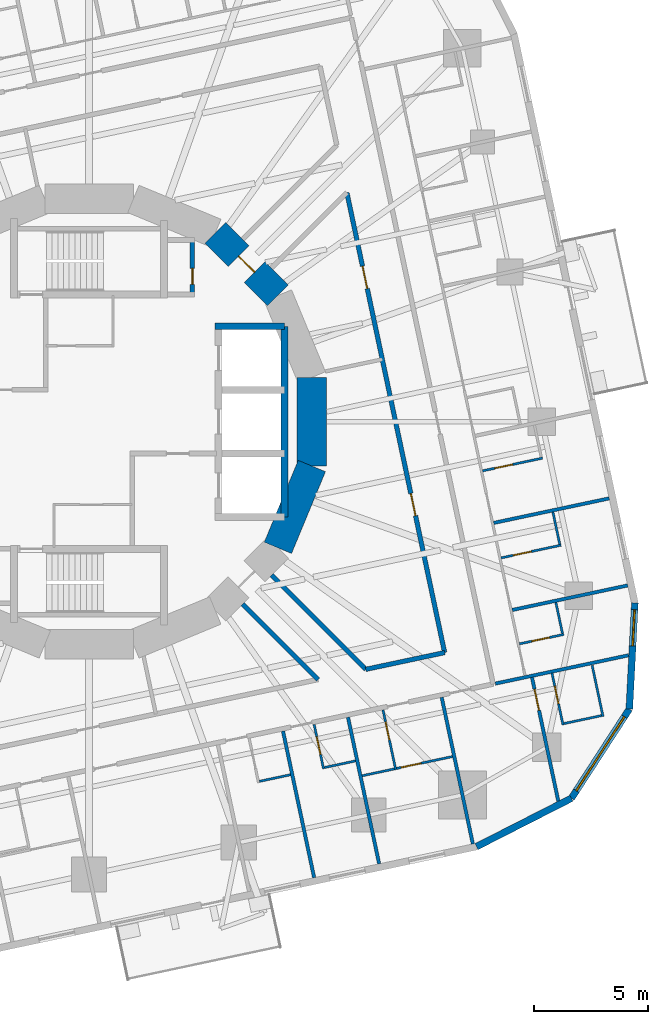
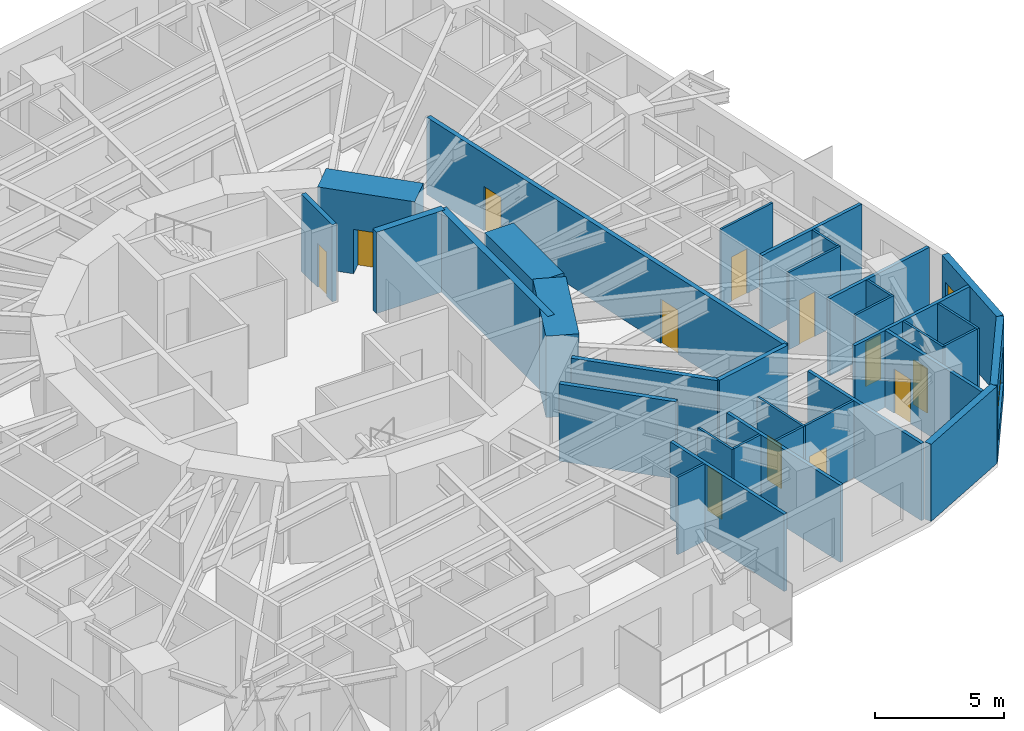
# One storey, part 8 of 14: 34 walls, 12 doors, 2 windows, 14 openings.
"""IFC4 building model written with IfcOpenShell, lengths in metres."""

from ifc_helpers import new_model, si_unit, direction, frame, frame_2d, origin, place, context, subcontext, project, spatial, rectangle, extrude, material, layer, layer_set, type_object, element, fill, save


model = new_model("IFC4")

# Units and contexts
model_context = context("Model", 3, precision=1e-05, world=origin(), true_north=direction((0.0, 1.0)))
body_context = subcontext(model_context, "Body", "Model", "MODEL_VIEW")
ifc_project = project(units=[si_unit("LENGTHUNIT", "METRE"), si_unit("AREAUNIT", "SQUARE_METRE"), si_unit("VOLUMEUNIT", "CUBIC_METRE"), si_unit("PLANEANGLEUNIT", "RADIAN"), si_unit("MASSUNIT", "GRAM", prefix="KILO")], contexts=[model_context])

# Site, building, storey
site_placement = place(None, origin())
site = spatial("IfcSite", under=ifc_project, at=site_placement, CompositionType="ELEMENT")
building_placement = place(site_placement, origin())
building = spatial("IfcBuilding", under=site, at=building_placement, Name="Nakasero Lantern House", CompositionType="ELEMENT")
storey_placement = place(building_placement, frame((0.0, 0.0, 105.0)))
storey = spatial("IfcBuildingStorey", under=building, at=storey_placement, Name="L25", CompositionType="ELEMENT", Elevation=105.0)

# Walls
ifc_material_1 = material(Name="Concrete C50/60", Category="concrete")
ifc_layer_1 = layer(ifc_material_1, 0.300048828125)
ifc_layer_set_1 = layer_set([ifc_layer_1], Name="Core inner wall 300")
wall_type_1 = type_object("IfcWallType", Name="Core inner wall 300", PredefinedType="SHEAR", material=ifc_layer_set_1)
wall_1_placement = place(storey_placement, frame((5.550048828125, 4.199951171875, 0.0), z_axis=(0.0, 0.0, 1.0), x_axis=(1.0, 0.0, 0.0)))
element("IfcWall", 1, at=wall_1_placement, inside=storey, type_object=wall_type_1, Name="Core inner wall L25 LEN", PredefinedType="SHEAR", context=body_context, shape_type="SweptSolid", body=[
    extrude(rectangle(XDim=3.050048828125, YDim=0.300048828125, at=frame_2d((1.52490234375, 0.0))), origin(), (0.0, 0.0, 1.0), 3.85009765625),
])
wall_2_placement = place(storey_placement, frame((8.60009765625, -4.199951171875, 0.0), z_axis=(0.0, 0.0, 1.0), x_axis=(0.0, 1.0, 0.0)))
element("IfcWall", 2, at=wall_2_placement, inside=storey, type_object=wall_type_1, Name="Core inner wall L25 LEB", PredefinedType="SHEAR", context=body_context, shape_type="SweptSolid", body=[
    extrude(rectangle(XDim=8.39990234375, YDim=0.300048828125, at=frame_2d((4.199951171875, 0.0))), origin(), (0.0, 0.0, 1.0), 3.85009765625),
])

# Wall, opening, door
ifc_material_2 = material(Name="Concrete C50/60", Category="concrete")
ifc_layer_2 = layer(ifc_material_2, 1.300048828125)
ifc_layer_set_2 = layer_set([ifc_layer_2], Name="Core wall 1300")
wall_type_2 = type_object("IfcWallType", Name="Core wall 1300", PredefinedType="SHEAR", material=ifc_layer_set_2)
wall_3_placement = place(storey_placement, frame((8.314697265625, 5.5556640625, 0.0), z_axis=(0.0, 0.0, 1.0), x_axis=(-0.707106781187, 0.707106781187, 0.0)))
wall_3 = element("IfcWall", 3, at=wall_3_placement, inside=storey, type_object=wall_type_2, Name="Core wall L25 facet 2", PredefinedType="SHEAR", context=body_context, shape_type="SweptSolid", body=[
    extrude(rectangle(XDim=3.90185546875, YDim=1.300048828125, at=frame_2d((1.950927734375, 0.0))), origin(), (0.0, 0.0, 1.0), 3.85009765625),
])
opening_1_placement = place(wall_3_placement, frame((1.450927734375, 0.0, 0.0)))
opening_1 = element("IfcOpeningElement", 4, at=opening_1_placement, cuts=wall_3, Name="Opening D05", PredefinedType="OPENING", context=body_context, shape_type="SweptSolid", body=[
    extrude(rectangle(XDim=1.0, YDim=2.10009765625, at=frame_2d((0.5, 1.050048828125))), frame((0.0, 0.669921875, 0.0), z_axis=(0.0, -1.0, 0.0), x_axis=(1.0, 0.0, 0.0)), (0.0, 0.0, 1.0), 1.340087890625),
])
ifc_material_3 = material(Name="Timber C24", Category="wood")
door_type_1 = type_object("IfcDoorType", Name="Core door FD60S 1000", OperationType="SINGLE_SWING_LEFT", PredefinedType="DOOR", material=ifc_material_3)
door_1_placement = place(opening_1_placement, origin())
door_1 = element("IfcDoor", 5, at=door_1_placement, inside=storey, type_object=door_type_1, Name="Door L25 D-CORE02", OperationType="SINGLE_SWING_LEFT", OverallHeight=2.10009765625, OverallWidth=1.0, PredefinedType="DOOR", context=body_context, shape_type="SweptSolid", body=[
    extrude(rectangle(XDim=1.0, YDim=2.10009765625, at=frame_2d((0.5, 1.050048828125))), frame((0.0, 0.02490234375, 0.0), z_axis=(0.0, -1.0, 0.0), x_axis=(1.0, 0.0, 0.0)), (0.0, 0.0, 1.0), 0.050048828125),
])
fill(opening_1, door_1)

# Walls
for number, where, z_axis, x_axis, name in (
    (6, (8.314697265625, -5.5556640625, 0.0), (0.0, 0.0, 1.0), (0.382690736062, 0.923876507187, 0.0), "Core wall L25 facet 15"),
    (7, (9.807861328125, -1.950927734375, 0.0), (0.0, 0.0, 1.0), (0.0, 1.0, 0.0), "Core wall L25 facet 16"),
):
    element("IfcWall", number, at=place(storey_placement, frame(where, z_axis=z_axis, x_axis=x_axis)), inside=storey, type_object=wall_type_2, Name=name, PredefinedType="SHEAR", context=body_context, shape_type="SweptSolid", body=[
        extrude(rectangle(XDim=3.90185546875, YDim=1.300048828125, at=frame_2d((1.950927734375, 0.0))), origin(), (0.0, 0.0, 1.0), 3.85009765625),
    ])

# Wall, openings, doors
ifc_material_4 = material(Name="Blockwork", Category="masonry")
ifc_layer_3 = layer(ifc_material_4, 0.199951171875)
ifc_layer_set_3 = layer_set([ifc_layer_3], Name="Corridor wall 200")
wall_type_3 = type_object("IfcWallType", Name="Corridor wall 200", PredefinedType="PARTITIONING", material=ifc_layer_set_3)
wall_4_placement = place(storey_placement, frame((15.656005859375, -10.1669921875, 0.0), z_axis=(0.0, 0.0, 1.0), x_axis=(-0.207919413582, 0.978145959178, 0.0)))
wall_4 = element("IfcWall", 8, at=wall_4_placement, inside=storey, type_object=wall_type_3, Name="Corridor wall L25 IW0-0", PredefinedType="PARTITIONING", context=body_context, shape_type="SweptSolid", body=[
    extrude(rectangle(XDim=20.698974609375, YDim=0.199951171875, at=frame_2d((10.349609375, 0.0))), origin(), (0.0, 0.0, 1.0), 3.64990234375),
])
opening_2_placement = place(wall_4_placement, frame((6.16259765625, 0.0, 0.0)))
opening_2 = element("IfcOpeningElement", 9, at=opening_2_placement, cuts=wall_4, Name="Opening D07", PredefinedType="OPENING", context=body_context, shape_type="SweptSolid", body=[
    extrude(rectangle(XDim=1.0, YDim=2.10009765625, at=frame_2d((0.5, 1.050048828125))), frame((0.0, 0.119873046875, 0.0), z_axis=(0.0, -1.0, 0.0), x_axis=(1.0, 0.0, 0.0)), (0.0, 0.0, 1.0), 0.239990234375),
])
opening_3_placement = place(wall_4_placement, frame((16.386962890625, 0.0, 0.0)))
opening_3 = element("IfcOpeningElement", 10, at=opening_3_placement, cuts=wall_4, Name="Opening D07", PredefinedType="OPENING", context=body_context, shape_type="SweptSolid", body=[
    extrude(rectangle(XDim=1.0, YDim=2.10009765625, at=frame_2d((0.5, 1.050048828125))), frame((0.0, 0.119873046875, 0.0), z_axis=(0.0, -1.0, 0.0), x_axis=(1.0, 0.0, 0.0)), (0.0, 0.0, 1.0), 0.239990234375),
])
ifc_material_5 = material(Name="Timber C24", Category="wood")
door_type_2 = type_object("IfcDoorType", Name="Room door FD30S 1000", OperationType="SINGLE_SWING_LEFT", PredefinedType="DOOR", material=ifc_material_5)
door_2_placement = place(opening_2_placement, origin())
door_2 = element("IfcDoor", 11, at=door_2_placement, inside=storey, type_object=door_type_2, Name="Door L25 DI3", OperationType="SINGLE_SWING_LEFT", OverallHeight=2.10009765625, OverallWidth=1.0, PredefinedType="DOOR", context=body_context, shape_type="SweptSolid", body=[
    extrude(rectangle(XDim=1.0, YDim=2.10009765625, at=frame_2d((0.5, 1.050048828125))), frame((0.0, 0.02490234375, 0.0), z_axis=(0.0, -1.0, 0.0), x_axis=(1.0, 0.0, 0.0)), (0.0, 0.0, 1.0), 0.050048828125),
])
fill(opening_2, door_2)
door_3_placement = place(opening_3_placement, origin())
door_3 = element("IfcDoor", 12, at=door_3_placement, inside=storey, type_object=door_type_2, Name="Door L25 DI4", OperationType="SINGLE_SWING_RIGHT", OverallHeight=2.10009765625, OverallWidth=1.0, PredefinedType="DOOR", context=body_context, shape_type="SweptSolid", body=[
    extrude(rectangle(XDim=1.0, YDim=2.10009765625, at=frame_2d((0.5, 1.050048828125))), frame((0.0, 0.02490234375, 0.0), z_axis=(0.0, -1.0, 0.0), x_axis=(1.0, 0.0, 0.0)), (0.0, 0.0, 1.0), 0.050048828125),
])
fill(opening_3, door_3)

# Walls
wall_5_placement = place(storey_placement, frame((12.178955078125, -10.90625, 0.0), z_axis=(0.0, 0.0, 1.0), x_axis=(0.978136852319, 0.207962251708, 0.0)))
element("IfcWall", 13, at=wall_5_placement, inside=storey, type_object=wall_type_3, Name="Corridor wall L25 IW3-1", PredefinedType="PARTITIONING", context=body_context, shape_type="SweptSolid", body=[
    extrude(rectangle(XDim=3.5546875, YDim=0.199951171875, at=frame_2d((1.77734375, 0.0))), origin(), (0.0, 0.0, 1.0), 3.64990234375),
])
wall_6_placement = place(storey_placement, frame((8.03125, -6.758544921875, 0.0), z_axis=(0.0, 0.0, 1.0), x_axis=(0.707106781187, -0.707106781187, 0.0)))
element("IfcWall", 14, at=wall_6_placement, inside=storey, type_object=wall_type_3, Name="Corridor wall L25 PS14a", PredefinedType="PARTITIONING", context=body_context, shape_type="SweptSolid", body=[
    extrude(rectangle(XDim=5.86572265625, YDim=0.199951171875, at=frame_2d((2.932861328125, 0.0))), origin(), (0.0, 0.0, 1.0), 3.64990234375),
])
wall_7_placement = place(storey_placement, frame((6.758544921875, -8.03125, 0.0), z_axis=(0.0, 0.0, 1.0), x_axis=(0.707106781187, -0.707106781187, 0.0)))
element("IfcWall", 15, at=wall_7_placement, inside=storey, type_object=wall_type_3, Name="Corridor wall L25 PS14b", PredefinedType="PARTITIONING", context=body_context, shape_type="SweptSolid", body=[
    extrude(rectangle(XDim=4.69677734375, YDim=0.199951171875, at=frame_2d((2.348388671875, 0.0))), origin(), (0.0, 0.0, 1.0), 3.64990234375),
])

# Wall, opening, door
ifc_material_6 = material(Name="Blockwork", Category="masonry")
ifc_layer_4 = layer(ifc_material_6, 0.10009765625)
ifc_layer_set_4 = layer_set([ifc_layer_4], Name="En-suite wall 100")
wall_type_4 = type_object("IfcWallType", Name="En-suite wall 100", PredefinedType="PARTITIONING", material=ifc_layer_set_4)
wall_8_placement = place(storey_placement, frame((18.947998046875, -9.783203125, 0.0), z_axis=(0.0, 0.0, 1.0), x_axis=(0.978128127149, 0.208003285743, 0.0)))
wall_8 = element("IfcWall", 16, at=wall_8_placement, inside=storey, type_object=wall_type_4, Name="En-suite wall L25 ES0-00", PredefinedType="PARTITIONING", context=body_context, shape_type="SweptSolid", body=[
    extrude(rectangle(XDim=2.0, YDim=0.10009765625, at=frame_2d((1.0, 0.0))), origin(), (0.0, 0.0, 1.0), 3.64990234375),
])
opening_4_placement = place(wall_8_placement, frame((0.550048828125, 0.0, 0.0)))
opening_4 = element("IfcOpeningElement", 17, at=opening_4_placement, cuts=wall_8, Name="Opening D02", PredefinedType="OPENING", context=body_context, shape_type="SweptSolid", body=[
    extrude(rectangle(XDim=0.800048828125, YDim=2.10009765625, at=frame_2d((0.39990234375, 1.050048828125))), frame((0.0, 0.070068359375, 0.0), z_axis=(0.0, -1.0, 0.0), x_axis=(1.0, 0.0, 0.0)), (0.0, 0.0, 1.0), 0.14013671875),
])
ifc_material_7 = material(Name="Timber C24", Category="wood")
door_type_3 = type_object("IfcDoorType", Name="En-suite door 800", OperationType="SINGLE_SWING_RIGHT", PredefinedType="DOOR", material=ifc_material_7)
door_4_placement = place(opening_4_placement, origin())
door_4 = element("IfcDoor", 18, at=door_4_placement, inside=storey, type_object=door_type_3, Name="Door L25 DE0-00", OperationType="SINGLE_SWING_LEFT", OverallHeight=2.10009765625, OverallWidth=0.800048828125, PredefinedType="DOOR", context=body_context, shape_type="SweptSolid", body=[
    extrude(rectangle(XDim=0.800048828125, YDim=2.10009765625, at=frame_2d((0.39990234375, 1.050048828125))), frame((0.0, 0.02490234375, 0.0), z_axis=(0.0, -1.0, 0.0), x_axis=(1.0, 0.0, 0.0)), (0.0, 0.0, 1.0), 0.050048828125),
])
fill(opening_4, door_4)

# Wall
wall_9_placement = place(storey_placement, frame((20.844970703125, -9.328857421875, 0.0), z_axis=(0.0, 0.0, 1.0), x_axis=(-0.207873355681, 0.978155748334, 0.0)))
element("IfcWall", 19, at=wall_9_placement, inside=storey, type_object=wall_type_4, Name="En-suite wall L25 EE0-00", PredefinedType="PARTITIONING", context=body_context, shape_type="SweptSolid", body=[
    extrude(rectangle(XDim=1.39990234375, YDim=0.10009765625, at=frame_2d((0.699951171875, 0.0))), origin(), (0.0, 0.0, 1.0), 3.64990234375),
])

# Wall, opening, door
wall_10_placement = place(storey_placement, frame((18.1435546875, -5.998291015625, 0.0), z_axis=(0.0, 0.0, 1.0), x_axis=(0.978137244908, 0.207960405185, 0.0)))
wall_10 = element("IfcWall", 20, at=wall_10_placement, inside=storey, type_object=wall_type_4, Name="En-suite wall L25 ES0-01", PredefinedType="PARTITIONING", context=body_context, shape_type="SweptSolid", body=[
    extrude(rectangle(XDim=2.7001953125, YDim=0.10009765625, at=frame_2d((1.35009765625, 0.0))), origin(), (0.0, 0.0, 1.0), 3.64990234375),
])
opening_5_placement = place(wall_10_placement, frame((0.550048828125, 0.0, 0.0)))
opening_5 = element("IfcOpeningElement", 21, at=opening_5_placement, cuts=wall_10, Name="Opening D02", PredefinedType="OPENING", context=body_context, shape_type="SweptSolid", body=[
    extrude(rectangle(XDim=0.800048828125, YDim=2.10009765625, at=frame_2d((0.39990234375, 1.050048828125))), frame((0.0, 0.070068359375, 0.0), z_axis=(0.0, -1.0, 0.0), x_axis=(1.0, 0.0, 0.0)), (0.0, 0.0, 1.0), 0.14013671875),
])
door_5_placement = place(opening_5_placement, origin())
door_5 = element("IfcDoor", 22, at=door_5_placement, inside=storey, type_object=door_type_3, Name="Door L25 DE0-01", OperationType="SINGLE_SWING_LEFT", OverallHeight=2.10009765625, OverallWidth=0.800048828125, PredefinedType="DOOR", context=body_context, shape_type="SweptSolid", body=[
    extrude(rectangle(XDim=0.800048828125, YDim=2.10009765625, at=frame_2d((0.39990234375, 1.050048828125))), frame((0.0, 0.02490234375, 0.0), z_axis=(0.0, -1.0, 0.0), x_axis=(1.0, 0.0, 0.0)), (0.0, 0.0, 1.0), 0.050048828125),
])
fill(opening_5, door_5)

# Wall
wall_11_placement = place(storey_placement, frame((20.725341796875, -5.398193359375, 0.0), z_axis=(0.0, 0.0, 1.0), x_axis=(-0.207953405961, 0.978138732977, 0.0)))
element("IfcWall", 23, at=wall_11_placement, inside=storey, type_object=wall_type_4, Name="En-suite wall L25 EE0-01", PredefinedType="PARTITIONING", context=body_context, shape_type="SweptSolid", body=[
    extrude(rectangle(XDim=1.449951171875, YDim=0.10009765625, at=frame_2d((0.72509765625, 0.0))), origin(), (0.0, 0.0, 1.0), 3.64990234375),
])

# Wall, opening, door
wall_12_placement = place(storey_placement, frame((17.32861328125, -2.164306640625, 0.0), z_axis=(0.0, 0.0, 1.0), x_axis=(0.97815563361, 0.207873895514, 0.0)))
wall_12 = element("IfcWall", 24, at=wall_12_placement, inside=storey, type_object=wall_type_4, Name="En-suite wall L25 ES0-02", PredefinedType="PARTITIONING", context=body_context, shape_type="SweptSolid", body=[
    extrude(rectangle(XDim=2.7001953125, YDim=0.10009765625, at=frame_2d((1.35009765625, 0.0))), origin(), (0.0, 0.0, 1.0), 3.64990234375),
])
opening_6_placement = place(wall_12_placement, frame((0.550048828125, 0.0, 0.0)))
opening_6 = element("IfcOpeningElement", 25, at=opening_6_placement, cuts=wall_12, Name="Opening D02", PredefinedType="OPENING", context=body_context, shape_type="SweptSolid", body=[
    extrude(rectangle(XDim=0.800048828125, YDim=2.10009765625, at=frame_2d((0.39990234375, 1.050048828125))), frame((0.0, 0.070068359375, 0.0), z_axis=(0.0, -1.0, 0.0), x_axis=(1.0, 0.0, 0.0)), (0.0, 0.0, 1.0), 0.14013671875),
])
door_6_placement = place(opening_6_placement, origin())
door_6 = element("IfcDoor", 26, at=door_6_placement, inside=storey, type_object=door_type_3, Name="Door L25 DE0-02", OperationType="SINGLE_SWING_LEFT", OverallHeight=2.10009765625, OverallWidth=0.800048828125, PredefinedType="DOOR", context=body_context, shape_type="SweptSolid", body=[
    extrude(rectangle(XDim=0.800048828125, YDim=2.10009765625, at=frame_2d((0.39990234375, 1.050048828125))), frame((0.0, 0.02490234375, 0.0), z_axis=(0.0, -1.0, 0.0), x_axis=(1.0, 0.0, 0.0)), (0.0, 0.0, 1.0), 0.050048828125),
])
fill(opening_6, door_6)

# Wall
wall_13_placement = place(storey_placement, frame((7.50048828125, -15.836669921875, 0.0), z_axis=(0.0, 0.0, 1.0), x_axis=(0.978155748334, 0.207873355681, 0.0)))
element("IfcWall", 27, at=wall_13_placement, inside=storey, type_object=wall_type_4, Name="En-suite wall L25 EE3-05", PredefinedType="PARTITIONING", context=body_context, shape_type="SweptSolid", body=[
    extrude(rectangle(XDim=1.39990234375, YDim=0.10009765625, at=frame_2d((0.699951171875, 0.0))), origin(), (0.0, 0.0, 1.0), 3.64990234375),
])

# Wall, opening, door
wall_14_placement = place(storey_placement, frame((9.908447265625, -13.331298828125, 0.0), z_axis=(0.0, 0.0, 1.0), x_axis=(0.208003285743, -0.978128127149, 0.0)))
wall_14 = element("IfcWall", 28, at=wall_14_placement, inside=storey, type_object=wall_type_4, Name="En-suite wall L25 ES3-06", PredefinedType="PARTITIONING", context=body_context, shape_type="SweptSolid", body=[
    extrude(rectangle(XDim=2.0, YDim=0.10009765625, at=frame_2d((1.0, 0.0))), origin(), (0.0, 0.0, 1.0), 3.64990234375),
])
opening_7_placement = place(wall_14_placement, frame((0.550048828125, 0.0, 0.0)))
opening_7 = element("IfcOpeningElement", 29, at=opening_7_placement, cuts=wall_14, Name="Opening D02", PredefinedType="OPENING", context=body_context, shape_type="SweptSolid", body=[
    extrude(rectangle(XDim=0.800048828125, YDim=2.10009765625, at=frame_2d((0.39990234375, 1.050048828125))), frame((0.0, 0.070068359375, 0.0), z_axis=(0.0, -1.0, 0.0), x_axis=(1.0, 0.0, 0.0)), (0.0, 0.0, 1.0), 0.14013671875),
])
door_7_placement = place(opening_7_placement, origin())
door_7 = element("IfcDoor", 30, at=door_7_placement, inside=storey, type_object=door_type_3, Name="Door L25 DE3-06", OperationType="SINGLE_SWING_LEFT", OverallHeight=2.10009765625, OverallWidth=0.800048828125, PredefinedType="DOOR", context=body_context, shape_type="SweptSolid", body=[
    extrude(rectangle(XDim=0.800048828125, YDim=2.10009765625, at=frame_2d((0.39990234375, 1.050048828125))), frame((0.0, 0.02490234375, 0.0), z_axis=(0.0, -1.0, 0.0), x_axis=(1.0, 0.0, 0.0)), (0.0, 0.0, 1.0), 0.050048828125),
])
fill(opening_7, door_7)

# Wall
wall_15_placement = place(storey_placement, frame((10.36279296875, -15.228271484375, 0.0), z_axis=(0.0, 0.0, 1.0), x_axis=(0.978155748334, 0.207873355681, 0.0)))
element("IfcWall", 31, at=wall_15_placement, inside=storey, type_object=wall_type_4, Name="En-suite wall L25 EE3-06", PredefinedType="PARTITIONING", context=body_context, shape_type="SweptSolid", body=[
    extrude(rectangle(XDim=1.39990234375, YDim=0.10009765625, at=frame_2d((0.699951171875, 0.0))), origin(), (0.0, 0.0, 1.0), 3.64990234375),
])

# Wall, opening, door
wall_16_placement = place(storey_placement, frame((12.940673828125, -12.686767578125, 0.0), z_axis=(0.0, 0.0, 1.0), x_axis=(0.207978798957, -0.978133334052, 0.0)))
wall_16 = element("IfcWall", 32, at=wall_16_placement, inside=storey, type_object=wall_type_4, Name="En-suite wall L25 ES3-07", PredefinedType="PARTITIONING", context=body_context, shape_type="SweptSolid", body=[
    extrude(rectangle(XDim=2.699951171875, YDim=0.10009765625, at=frame_2d((1.35009765625, 0.0))), origin(), (0.0, 0.0, 1.0), 3.64990234375),
])
opening_8_placement = place(wall_16_placement, frame((0.550048828125, 0.0, 0.0)))
opening_8 = element("IfcOpeningElement", 33, at=opening_8_placement, cuts=wall_16, Name="Opening D02", PredefinedType="OPENING", context=body_context, shape_type="SweptSolid", body=[
    extrude(rectangle(XDim=0.800048828125, YDim=2.10009765625, at=frame_2d((0.39990234375, 1.050048828125))), frame((0.0, 0.070068359375, 0.0), z_axis=(0.0, -1.0, 0.0), x_axis=(1.0, 0.0, 0.0)), (0.0, 0.0, 1.0), 0.14013671875),
])
door_8_placement = place(opening_8_placement, origin())
door_8 = element("IfcDoor", 34, at=door_8_placement, inside=storey, type_object=door_type_3, Name="Door L25 DE3-07", OperationType="SINGLE_SWING_LEFT", OverallHeight=2.10009765625, OverallWidth=0.800048828125, PredefinedType="DOOR", context=body_context, shape_type="SweptSolid", body=[
    extrude(rectangle(XDim=0.800048828125, YDim=2.10009765625, at=frame_2d((0.39990234375, 1.050048828125))), frame((0.0, 0.02490234375, 0.0), z_axis=(0.0, -1.0, 0.0), x_axis=(1.0, 0.0, 0.0)), (0.0, 0.0, 1.0), 0.050048828125),
])
fill(opening_8, door_8)

# Wall
wall_17_placement = place(storey_placement, frame((12.024658203125, -15.590576171875, 0.0), z_axis=(0.0, 0.0, 1.0), x_axis=(0.978138732977, 0.207953405961, 0.0)))
element("IfcWall", 35, at=wall_17_placement, inside=storey, type_object=wall_type_4, Name="En-suite wall L25 EE3-07", PredefinedType="PARTITIONING", context=body_context, shape_type="SweptSolid", body=[
    extrude(rectangle(XDim=1.449951171875, YDim=0.10009765625, at=frame_2d((0.72509765625, 0.0))), origin(), (0.0, 0.0, 1.0), 3.64990234375),
])

# Wall, opening, door
wall_18_placement = place(storey_placement, frame((20.382568359375, -11.069091796875, 0.0), z_axis=(0.0, 0.0, 1.0), x_axis=(0.207965047255, -0.978136257952, 0.0)))
wall_18 = element("IfcWall", 36, at=wall_18_placement, inside=storey, type_object=wall_type_4, Name="En-suite wall L25 ES3-08", PredefinedType="PARTITIONING", context=body_context, shape_type="SweptSolid", body=[
    extrude(rectangle(XDim=2.3349609375, YDim=0.10009765625, at=frame_2d((1.16748046875, 0.0))), origin(), (0.0, 0.0, 1.0), 3.64990234375),
])
opening_9_placement = place(wall_18_placement, frame((0.5849609375, 0.0, 0.0)))
opening_9 = element("IfcOpeningElement", 37, at=opening_9_placement, cuts=wall_18, Name="Opening D02", PredefinedType="OPENING", context=body_context, shape_type="SweptSolid", body=[
    extrude(rectangle(XDim=0.800048828125, YDim=2.10009765625, at=frame_2d((0.39990234375, 1.050048828125))), frame((0.0, 0.070068359375, 0.0), z_axis=(0.0, -1.0, 0.0), x_axis=(1.0, 0.0, 0.0)), (0.0, 0.0, 1.0), 0.14013671875),
])
door_9_placement = place(opening_9_placement, origin())
door_9 = element("IfcDoor", 38, at=door_9_placement, inside=storey, type_object=door_type_3, Name="Door L25 DE3-08", OperationType="SINGLE_SWING_LEFT", OverallHeight=2.10009765625, OverallWidth=0.800048828125, PredefinedType="DOOR", context=body_context, shape_type="SweptSolid", body=[
    extrude(rectangle(XDim=0.800048828125, YDim=2.10009765625, at=frame_2d((0.39990234375, 1.050048828125))), frame((0.0, 0.02490234375, 0.0), z_axis=(0.0, -1.0, 0.0), x_axis=(1.0, 0.0, 0.0)), (0.0, 0.0, 1.0), 0.050048828125),
])
fill(opening_9, door_9)

# Walls
wall_19_placement = place(storey_placement, frame((20.906494140625, -13.293701171875, 0.0), z_axis=(0.0, 0.0, 1.0), x_axis=(0.978168704767, 0.207812379357, 0.0)))
element("IfcWall", 39, at=wall_19_placement, inside=storey, type_object=wall_type_4, Name="En-suite wall L25 EE3-08", PredefinedType="PARTITIONING", context=body_context, shape_type="SweptSolid", body=[
    extrude(rectangle(XDim=1.699951171875, YDim=0.10009765625, at=frame_2d((0.85009765625, 0.0))), origin(), (0.0, 0.0, 1.0), 3.64990234375),
])
wall_20_placement = place(storey_placement, frame((22.150634765625, -10.72900390625, 0.0), z_axis=(0.0, 0.0, 1.0), x_axis=(0.207839712757, -0.978162897375, 0.0)))
element("IfcWall", 40, at=wall_20_placement, inside=storey, type_object=wall_type_4, Name="En-suite wall L25 EV3-08", PredefinedType="PARTITIONING", context=body_context, shape_type="SweptSolid", body=[
    extrude(rectangle(XDim=2.300048828125, YDim=0.10009765625, at=frame_2d((1.14990234375, 0.0))), origin(), (0.0, 0.0, 1.0), 3.64990234375),
])

# Wall, opening, door
wall_21_placement = place(storey_placement, frame((13.540771484375, -15.268310546875, 0.0), z_axis=(0.0, 0.0, 1.0), x_axis=(0.978157126054, 0.207866872659, 0.0)))
wall_21 = element("IfcWall", 41, at=wall_21_placement, inside=storey, type_object=wall_type_4, Name="En-suite wall L25 EL3-07", PredefinedType="PARTITIONING", context=body_context, shape_type="SweptSolid", body=[
    extrude(rectangle(XDim=2.51806640625, YDim=0.10009765625, at=frame_2d((1.259033203125, 0.0))), origin(), (0.0, 0.0, 1.0), 3.64990234375),
])
opening_10_placement = place(wall_21_placement, frame((0.199951171875, 0.0, 0.0)))
opening_10 = element("IfcOpeningElement", 42, at=opening_10_placement, cuts=wall_21, Name="Opening D17", PredefinedType="OPENING", context=body_context, shape_type="SweptSolid", body=[
    extrude(rectangle(XDim=0.89990234375, YDim=2.10009765625, at=frame_2d((0.449951171875, 1.050048828125))), frame((0.0, 0.070068359375, 0.0), z_axis=(0.0, -1.0, 0.0), x_axis=(1.0, 0.0, 0.0)), (0.0, 0.0, 1.0), 0.14013671875),
])
ifc_material_8 = material(Name="Timber C24", Category="wood")
door_type_4 = type_object("IfcDoorType", Name="Bedroom door FD30S 900", OperationType="SINGLE_SWING_LEFT", PredefinedType="DOOR", material=ifc_material_8)
door_10_placement = place(opening_10_placement, origin())
door_10 = element("IfcDoor", 43, at=door_10_placement, inside=storey, type_object=door_type_4, Name="Door L25 DL3-07", OperationType="SINGLE_SWING_LEFT", OverallHeight=2.10009765625, OverallWidth=0.89990234375, PredefinedType="DOOR", context=body_context, shape_type="SweptSolid", body=[
    extrude(rectangle(XDim=0.89990234375, YDim=2.10009765625, at=frame_2d((0.449951171875, 1.050048828125))), frame((0.0, 0.02490234375, 0.0), z_axis=(0.0, -1.0, 0.0), x_axis=(1.0, 0.0, 0.0)), (0.0, 0.0, 1.0), 0.050048828125),
])
fill(opening_10, door_10)

# Wall
ifc_material_9 = material(Name="Aluminium rainscreen on blockwork", Category="masonry")
ifc_layer_5 = layer(ifc_material_9, 0.300048828125)
ifc_layer_set_5 = layer_set([ifc_layer_5], Name="Facade wall 300")
wall_type_5 = type_object("IfcWallType", Name="Facade wall 300", PredefinedType="SOLIDWALL", material=ifc_layer_set_5)
wall_22_placement = place(storey_placement, frame((17.063232421875, -18.711181640625, 0.0), z_axis=(0.0, 0.0, 1.0), x_axis=(0.89101404178, 0.453975745332, 0.0)))
element("IfcWall", 44, at=wall_22_placement, inside=storey, type_object=wall_type_5, Name="Facade wall L25 FW3C1", PredefinedType="SOLIDWALL", context=body_context, shape_type="SweptSolid", body=[
    extrude(rectangle(XDim=4.6845703125, YDim=0.300048828125, at=frame_2d((2.34228515625, 0.0))), origin(), (0.0, 0.0, 1.0), 3.64990234375),
])

# Wall, opening, window
wall_23_placement = place(storey_placement, frame((21.2373046875, -16.58447265625, 0.0), z_axis=(0.0, 0.0, 1.0), x_axis=(0.544605442853, 0.838692381994, 0.0)))
wall_23 = element("IfcWall", 45, at=wall_23_placement, inside=storey, type_object=wall_type_5, Name="Facade wall L25 FW3C2", PredefinedType="SOLIDWALL", context=body_context, shape_type="SweptSolid", body=[
    extrude(rectangle(XDim=4.6845703125, YDim=0.300048828125, at=frame_2d((2.34228515625, 0.0))), origin(), (0.0, 0.0, 1.0), 3.64990234375),
])
opening_11_placement = place(wall_23_placement, frame((0.39990234375, 0.0, 0.75)))
opening_11 = element("IfcOpeningElement", 46, at=opening_11_placement, cuts=wall_23, Name="Opening W238", PredefinedType="OPENING", context=body_context, shape_type="SweptSolid", body=[
    extrude(rectangle(XDim=3.885009765625, YDim=1.800048828125, at=frame_2d((1.9423828125, 0.89990234375))), frame((0.0, 0.169921875, 0.0), z_axis=(0.0, -1.0, 0.0), x_axis=(1.0, 0.0, 0.0)), (0.0, 0.0, 1.0), 0.340087890625),
])
ifc_material_10 = material(Name="Aluminium 6063-T6 and glass", Category="aluminium")
window_type_1 = type_object("IfcWindowType", Name="Corner window 3885x1800", PartitioningType="SINGLE_PANEL", PredefinedType="WINDOW", material=ifc_material_10)
window_1_placement = place(opening_11_placement, origin())
window_1 = element("IfcWindow", 47, at=window_1_placement, inside=storey, type_object=window_type_1, Name="Window L25 WC3", OverallHeight=1.800048828125, OverallWidth=3.885009765625, PartitioningType="SINGLE_PANEL", PredefinedType="WINDOW", context=body_context, shape_type="SweptSolid", body=[
    extrude(rectangle(XDim=3.885009765625, YDim=1.800048828125, at=frame_2d((1.9423828125, 0.89990234375))), frame((0.0, 0.030029296875, 0.0), z_axis=(0.0, -1.0, 0.0), x_axis=(1.0, 0.0, 0.0)), (0.0, 0.0, 1.0), 0.06005859375),
])
fill(opening_11, window_1)

wall_24_placement = place(storey_placement, frame((23.78857421875, -12.655517578125, 0.0), z_axis=(0.0, 0.0, 1.0), x_axis=(0.052326317, 0.998630039879, 0.0)))
wall_24 = element("IfcWall", 48, at=wall_24_placement, inside=storey, type_object=wall_type_5, Name="Facade wall L25 FW3C3", PredefinedType="SOLIDWALL", context=body_context, shape_type="SweptSolid", body=[
    extrude(rectangle(XDim=4.684326171875, YDim=0.300048828125, at=frame_2d((2.34228515625, 0.0))), origin(), (0.0, 0.0, 1.0), 3.64990234375),
])
opening_12_placement = place(wall_24_placement, frame((2.784912109375, 0.0, 0.75)))
opening_12 = element("IfcOpeningElement", 49, at=opening_12_placement, cuts=wall_24, Name="Opening W01", PredefinedType="OPENING", context=body_context, shape_type="SweptSolid", body=[
    extrude(rectangle(XDim=1.60009765625, YDim=1.800048828125, at=frame_2d((0.800048828125, 0.89990234375))), frame((0.0, 0.169921875, 0.0), z_axis=(0.0, -1.0, 0.0), x_axis=(1.0, 0.0, 0.0)), (0.0, 0.0, 1.0), 0.340087890625),
])
ifc_material_11 = material(Name="Aluminium 6063-T6 and glass", Category="aluminium")
window_type_2 = type_object("IfcWindowType", Name="Bedroom window 1600x1800", PartitioningType="SINGLE_PANEL", PredefinedType="WINDOW", material=ifc_material_11)
window_2_placement = place(opening_12_placement, origin())
window_2 = element("IfcWindow", 50, at=window_2_placement, inside=storey, type_object=window_type_2, Name="Window L25 WN0-00", OverallHeight=1.800048828125, OverallWidth=1.60009765625, PartitioningType="SINGLE_PANEL", PredefinedType="WINDOW", context=body_context, shape_type="SweptSolid", body=[
    extrude(rectangle(XDim=1.60009765625, YDim=1.800048828125, at=frame_2d((0.800048828125, 0.89990234375))), frame((0.0, 0.030029296875, 0.0), z_axis=(0.0, -1.0, 0.0), x_axis=(1.0, 0.0, 0.0)), (0.0, 0.0, 1.0), 0.06005859375),
])
fill(opening_12, window_2)

# Wall, opening, door
ifc_material_12 = material(Name="Blockwork", Category="masonry")
ifc_layer_6 = layer(ifc_material_12, 0.199951171875)
ifc_layer_set_6 = layer_set([ifc_layer_6], Name="Fire lobby wall 200")
wall_type_6 = type_object("IfcWallType", Name="Fire lobby wall 200", PredefinedType="PARTITIONING", material=ifc_layer_set_6)
wall_25_placement = place(storey_placement, frame((4.550048828125, 5.60009765625, 0.0), z_axis=(0.0, 0.0, 1.0), x_axis=(0.0, 1.0, 0.0)))
wall_25 = element("IfcWall", 51, at=wall_25_placement, inside=storey, type_object=wall_type_6, Name="Fire lobby wall L25 W-RS1E", PredefinedType="PARTITIONING", context=body_context, shape_type="SweptSolid", body=[
    extrude(rectangle(XDim=2.39990234375, YDim=0.199951171875, at=frame_2d((1.199951171875, 0.0))), origin(), (0.0, 0.0, 1.0), 3.64990234375),
])
opening_13_placement = place(wall_25_placement, frame((0.449951171875, 0.0, 0.0)))
opening_13 = element("IfcOpeningElement", 52, at=opening_13_placement, cuts=wall_25, Name="Opening D06", PredefinedType="OPENING", context=body_context, shape_type="SweptSolid", body=[
    extrude(rectangle(XDim=0.699951171875, YDim=2.10009765625, at=frame_2d((0.35009765625, 1.050048828125))), frame((0.0, 0.119873046875, 0.0), z_axis=(0.0, -1.0, 0.0), x_axis=(1.0, 0.0, 0.0)), (0.0, 0.0, 1.0), 0.239990234375),
])
ifc_material_13 = material(Name="Steel S355", Category="steel")
door_type_5 = type_object("IfcDoorType", Name="Riser door FD60 700", OperationType="SINGLE_SWING_LEFT", PredefinedType="DOOR", material=ifc_material_13)
door_11_placement = place(opening_13_placement, origin())
door_11 = element("IfcDoor", 53, at=door_11_placement, inside=storey, type_object=door_type_5, Name="Door L25 D-RS1", OperationType="SINGLE_SWING_LEFT", OverallHeight=2.10009765625, OverallWidth=0.699951171875, PredefinedType="DOOR", context=body_context, shape_type="SweptSolid", body=[
    extrude(rectangle(XDim=0.699951171875, YDim=2.10009765625, at=frame_2d((0.35009765625, 1.050048828125))), frame((0.0, 0.02490234375, 0.0), z_axis=(0.0, -1.0, 0.0), x_axis=(1.0, 0.0, 0.0)), (0.0, 0.0, 1.0), 0.050048828125),
])
fill(opening_13, door_11)

# Walls
ifc_material_14 = material(Name="Blockwork", Category="masonry")
ifc_layer_7 = layer(ifc_material_14, 0.14990234375)
ifc_layer_set_7 = layer_set([ifc_layer_7], Name="Party wall 150")
wall_type_7 = type_object("IfcWallType", Name="Party wall 150", PredefinedType="PARTITIONING", material=ifc_layer_set_7)
wall_26_placement = place(storey_placement, frame((17.888671875, -11.53271484375, 0.0), z_axis=(0.0, 0.0, 1.0), x_axis=(0.978152955943, 0.207886494942, 0.0)))
element("IfcWall", 54, at=wall_26_placement, inside=storey, type_object=wall_type_7, Name="Party wall L25 PW0-00", PredefinedType="PARTITIONING", context=body_context, shape_type="SweptSolid", body=[
    extrude(rectangle(XDim=6.0, YDim=0.14990234375, at=frame_2d((3.0, 0.0))), origin(), (0.0, 0.0, 1.0), 3.64990234375),
])
for number, where, z_axis, x_axis, name in (
    (55, (18.631103515625, -8.29150390625, 0.0), (0.0, 0.0, 1.0), (0.978139873931, 0.207948039247, 0.0), "Party wall L25 PW0-01"),
    (56, (17.816162109375, -4.45751953125, 0.0), (0.0, 0.0, 1.0), (0.978151452323, 0.207893569688, 0.0), "Party wall L25 PW0-02"),
):
    element("IfcWall", number, at=place(storey_placement, frame(where, z_axis=z_axis, x_axis=x_axis)), inside=storey, type_object=wall_type_7, Name=name, PredefinedType="PARTITIONING", context=body_context, shape_type="SweptSolid", body=[
        extrude(rectangle(XDim=5.199951171875, YDim=0.14990234375, at=frame_2d((2.60009765625, 0.0))), origin(), (0.0, 0.0, 1.0), 3.64990234375),
    ])
for number, where, z_axis, x_axis, name in (
    (57, (8.537841796875, -13.62255859375, 0.0), (0.0, 0.0, 1.0), (0.207889281984, -0.97815236361, 0.0), "Party wall L25 PW3-06"),
    (58, (11.400146484375, -13.01416015625, 0.0), (0.0, 0.0, 1.0), (0.207924673876, -0.978144841009, 0.0), "Party wall L25 PW3-07"),
    (59, (15.526123046875, -12.13720703125, 0.0), (0.0, 0.0, 1.0), (0.207924673876, -0.978144841009, 0.0), "Party wall L25 PW3-08"),
):
    element("IfcWall", number, at=place(storey_placement, frame(where, z_axis=z_axis, x_axis=x_axis)), inside=storey, type_object=wall_type_7, Name=name, PredefinedType="PARTITIONING", context=body_context, shape_type="SweptSolid", body=[
        extrude(rectangle(XDim=6.60009765625, YDim=0.14990234375, at=frame_2d((3.300048828125, 0.0))), origin(), (0.0, 0.0, 1.0), 3.64990234375),
    ])

# Wall, opening, door
wall_27_placement = place(storey_placement, frame((19.502197265625, -11.256103515625, 0.0), z_axis=(0.0, 0.0, 1.0), x_axis=(0.207936339891, -0.978142361087, 0.0)))
wall_27 = element("IfcWall", 60, at=wall_27_placement, inside=storey, type_object=wall_type_7, Name="Party wall L25 PC3", PredefinedType="PARTITIONING", context=body_context, shape_type="SweptSolid", body=[
    extrude(rectangle(XDim=5.570068359375, YDim=0.14990234375, at=frame_2d((2.78515625, 0.0))), origin(), (0.0, 0.0, 1.0), 3.64990234375),
])
opening_14_placement = place(wall_27_placement, frame((0.534912109375, 0.0, 0.0)))
opening_14 = element("IfcOpeningElement", 61, at=opening_14_placement, cuts=wall_27, Name="Opening D01", PredefinedType="OPENING", context=body_context, shape_type="SweptSolid", body=[
    extrude(rectangle(XDim=0.949951171875, YDim=2.10009765625, at=frame_2d((0.47509765625, 1.050048828125))), frame((0.0, 0.094970703125, 0.0), z_axis=(0.0, -1.0, 0.0), x_axis=(1.0, 0.0, 0.0)), (0.0, 0.0, 1.0), 0.18994140625),
])
ifc_material_15 = material(Name="Timber C24", Category="wood")
door_type_6 = type_object("IfcDoorType", Name="Bedroom door FD30S 950", OperationType="SINGLE_SWING_LEFT", PredefinedType="DOOR", material=ifc_material_15)
door_12_placement = place(opening_14_placement, origin())
door_12 = element("IfcDoor", 62, at=door_12_placement, inside=storey, type_object=door_type_6, Name="Door L25 DC3", OperationType="SINGLE_SWING_LEFT", OverallHeight=2.10009765625, OverallWidth=0.949951171875, PredefinedType="DOOR", context=body_context, shape_type="SweptSolid", body=[
    extrude(rectangle(XDim=0.949951171875, YDim=2.10009765625, at=frame_2d((0.47509765625, 1.050048828125))), frame((0.0, 0.02490234375, 0.0), z_axis=(0.0, -1.0, 0.0), x_axis=(1.0, 0.0, 0.0)), (0.0, 0.0, 1.0), 0.050048828125),
])
fill(opening_14, door_12)

save(model, "model.ifc")
